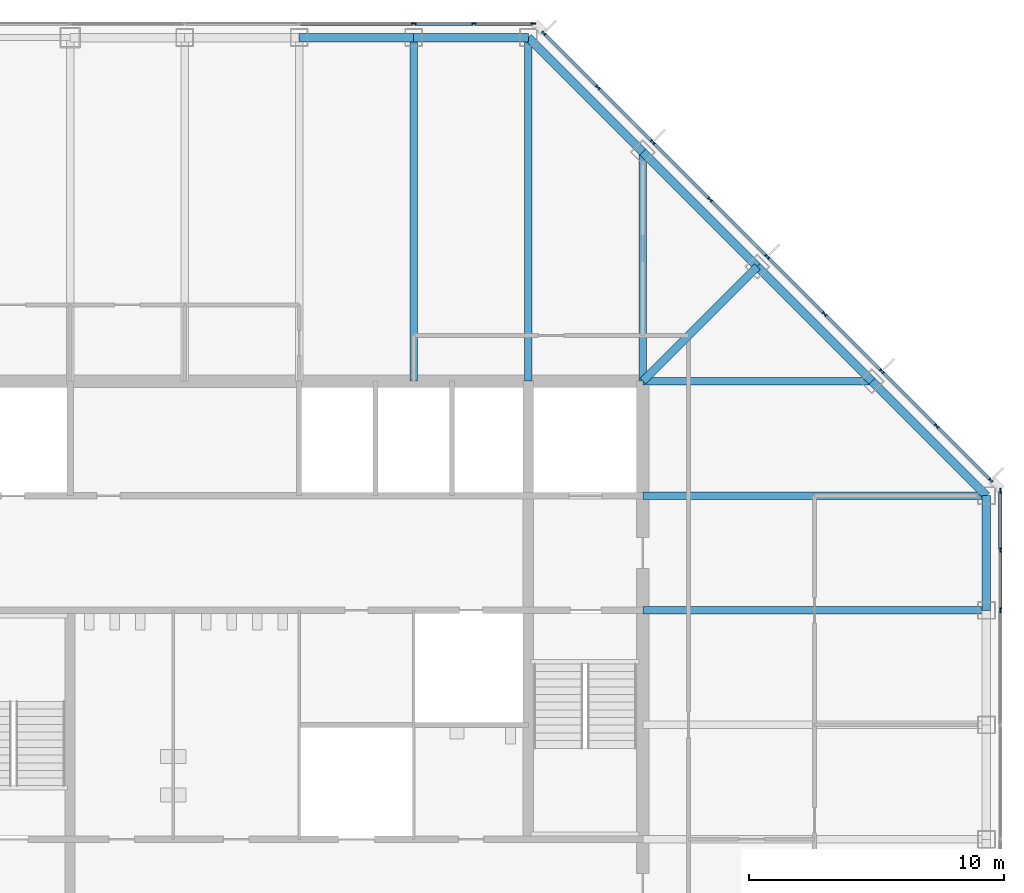
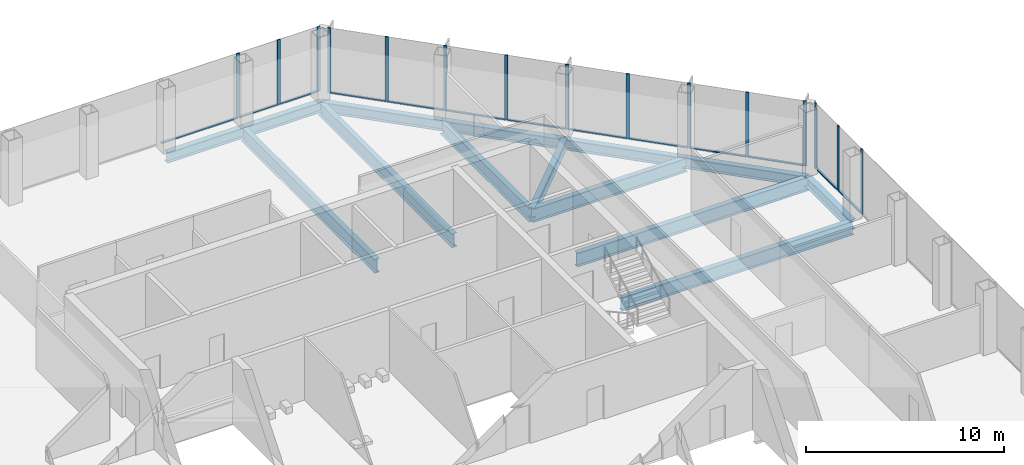
# One storey, part 6 of 13: 28 members, 14 beams, 3 elements without a shape of their own.
"""IFC4 building model written with IfcOpenShell, lengths in metres."""

from ifc_helpers import new_model, si_unit, direction, frame, origin, origin_2d, place, context, subcontext, project, spatial, rectangle, i_section, extrude, material, material_profile, profile_set, type_object, element, aggregate, save


model = new_model("IFC4")

# Units and contexts
model_context = context("Model", 3, precision=1e-05, world=origin(), true_north=direction((0.0, 1.0)))
body_context = subcontext(model_context, "Body", "Model", "MODEL_VIEW")
ifc_project = project(units=[si_unit("LENGTHUNIT", "METRE"), si_unit("AREAUNIT", "SQUARE_METRE"), si_unit("VOLUMEUNIT", "CUBIC_METRE"), si_unit("PLANEANGLEUNIT", "RADIAN"), si_unit("MASSUNIT", "GRAM", prefix="KILO")], contexts=[model_context])

# Site, building, storey
site_placement = place(None, origin())
site = spatial("IfcSite", under=ifc_project, at=site_placement, CompositionType="ELEMENT")
building_placement = place(site_placement, origin())
building = spatial("IfcBuilding", under=site, at=building_placement, Name="Corais Broadcast Tower", CompositionType="ELEMENT")
storey_placement = place(building_placement, frame((0.0, 0.0, 155.60009765625)))
storey = spatial("IfcBuildingStorey", under=building, at=storey_placement, Name="L35", CompositionType="ELEMENT", Elevation=155.60009765625)

# Beams
ifc_material_1 = material(Name="Steel ASTM A572 Grade 50", Category="steel")
ifc_material_profile_1 = material_profile(ifc_material_1, i_section(OverallWidth=0.323974609375, OverallDepth=0.611083984375, WebThickness=0.0126953125, FlangeThickness=0.01904296875, at=origin_2d()), Name="W610x155")
ifc_profile_set_1 = profile_set([ifc_material_profile_1], Name="Steel ASTM A572 Grade 50")
beam_type_1 = type_object("IfcBeamType", Name="Corner diagonal W610x155", PredefinedType="BEAM", material=ifc_profile_set_1)
beam_1_placement = place(storey_placement, frame((45.0, 45.0, -0.465576171875), z_axis=(-0.707106781187, -0.707106781187, 0.0), x_axis=(0.707106781187, -0.707106781187, 0.0)))
element("IfcBeam", 1, at=beam_1_placement, inside=storey, type_object=beam_type_1, Name="B6 L/13 to K/12", PredefinedType="BEAM", context=body_context, shape_type="SweptSolid", body=[
    extrude(i_section(OverallWidth=0.323974609375, OverallDepth=0.611083984375, WebThickness=0.0126953125, FlangeThickness=0.01904296875, at=origin_2d()), origin(), (0.0, 0.0, 1.0), 6.364013671875),
])
ifc_material_2 = material(Name="Steel ASTM A572 Grade 50", Category="steel")
ifc_material_profile_2 = material_profile(ifc_material_2, i_section(OverallWidth=0.2939453125, OverallDepth=0.85107421875, WebThickness=0.01611328125, FlangeThickness=0.02685546875, at=origin_2d()), Name="W840x226")
ifc_profile_set_2 = profile_set([ifc_material_profile_2], Name="Steel ASTM A572 Grade 50")
beam_type_2 = type_object("IfcBeamType", Name="Floor beam W840x226", PredefinedType="BEAM", material=ifc_profile_set_2)
for number, where, z_axis, x_axis, name in (
    (2, (31.5, 54.0, -0.585693359375), (0.0, -1.0, 0.0), (1.0, 0.0, 0.0), "B1 N/10 to K/10"),
    (3, (36.0, 54.0, -0.585693359375), (0.0, -1.0, 0.0), (1.0, 0.0, 0.0), "B1 N/11 to K/11"),
):
    element("IfcBeam", number, at=place(storey_placement, frame(where, z_axis=z_axis, x_axis=x_axis)), inside=storey, type_object=beam_type_2, Name=name, PredefinedType="BEAM", context=body_context, shape_type="SweptSolid", body=[
        extrude(i_section(OverallWidth=0.2939453125, OverallDepth=0.85107421875, WebThickness=0.01611328125, FlangeThickness=0.02685546875, at=origin_2d()), origin(), (0.0, 0.0, 1.0), 13.5),
    ])
for number, where, z_axis, x_axis, name in (
    (4, (40.5, 49.5, -0.585693359375), (0.0, -1.0, 0.0), (1.0, 0.0, 0.0), "B1 M/12 to K/12"),
    (5, (49.5, 40.5, -0.585693359375), (-1.0, 0.0, 0.0), (0.0, -1.0, 0.0), "B1 K/14 to K/12"),
):
    element("IfcBeam", number, at=place(storey_placement, frame(where, z_axis=z_axis, x_axis=x_axis)), inside=storey, type_object=beam_type_2, Name=name, PredefinedType="BEAM", context=body_context, shape_type="SweptSolid", body=[
        extrude(i_section(OverallWidth=0.2939453125, OverallDepth=0.85107421875, WebThickness=0.01611328125, FlangeThickness=0.02685546875, at=origin_2d()), origin(), (0.0, 0.0, 1.0), 9.0),
    ])
for number, where, z_axis, x_axis, name in (
    (6, (54.0, 31.5, -0.585693359375), (-1.0, 0.0, 0.0), (0.0, -1.0, 0.0), "B1 H/15 to H/12"),
    (7, (54.0, 36.0, -0.585693359375), (-1.0, 0.0, 0.0), (0.0, -1.0, 0.0), "B1 J/15 to J/12"),
):
    element("IfcBeam", number, at=place(storey_placement, frame(where, z_axis=z_axis, x_axis=x_axis)), inside=storey, type_object=beam_type_2, Name=name, PredefinedType="BEAM", context=body_context, shape_type="SweptSolid", body=[
        extrude(i_section(OverallWidth=0.2939453125, OverallDepth=0.85107421875, WebThickness=0.01611328125, FlangeThickness=0.02685546875, at=origin_2d()), origin(), (0.0, 0.0, 1.0), 13.5),
    ])

# Curtain wall, members
ifc_material_3 = material(Name="Aluminium and glass", Category="aluminium")
curtain_wall_type = type_object("IfcCurtainWallType", Name="Unitised fritted curtain wall CW2", PredefinedType="NOTDEFINED", material=ifc_material_3)
curtain_wall_1_placement = place(storey_placement, origin())
curtain_wall_1 = element("IfcCurtainWall", 8, at=curtain_wall_1_placement, inside=storey, type_object=curtain_wall_type, Name="CW2 curtain wall L35 4", PredefinedType="NOTDEFINED")
ifc_material_4 = material(Name="Aluminium 6063-T6", Category="aluminium")
ifc_material_profile_3 = material_profile(ifc_material_4, rectangle(XDim=0.06494140625, YDim=0.179931640625, at=origin_2d()), Name="Mullion CW2 65x180")
ifc_profile_set_3 = profile_set([ifc_material_profile_3], Name="Aluminium 6063-T6")
member_type_1 = type_object("IfcMemberType", Name="Mullion CW2 65x180", PredefinedType="MULLION", material=ifc_profile_set_3)
member_1_placement = place(storey_placement, frame((31.5, 54.550048828125, 0.0), z_axis=(0.0, 0.0, 1.0), x_axis=(0.0, 1.0, 0.0)))
member_1 = element("IfcMember", 9, at=member_1_placement, type_object=member_type_1, Name="CW2 mullion 7", PredefinedType="MULLION", context=body_context, shape_type="SweptSolid", body=[
    extrude(rectangle(XDim=0.06494140625, YDim=0.179931640625, at=origin_2d()), origin(), (0.0, 0.0, 1.0), 4.0),
])
member_2_placement = place(storey_placement, frame((33.864013671875, 54.550048828125, 0.0), z_axis=(0.0, 0.0, 1.0), x_axis=(0.0, 1.0, 0.0)))
member_2 = element("IfcMember", 10, at=member_2_placement, type_object=member_type_1, Name="CW2 mullion 8", PredefinedType="MULLION", context=body_context, shape_type="SweptSolid", body=[
    extrude(rectangle(XDim=0.06494140625, YDim=0.179931640625, at=origin_2d()), origin(), (0.0, 0.0, 1.0), 4.0),
])
member_3_placement = place(storey_placement, frame((36.1953125, 54.550048828125, 0.0), z_axis=(0.0, 0.0, 1.0), x_axis=(0.0, 1.0, 0.0)))
member_3 = element("IfcMember", 11, at=member_3_placement, type_object=member_type_1, Name="CW2 mullion 9", PredefinedType="MULLION", context=body_context, shape_type="SweptSolid", body=[
    extrude(rectangle(XDim=0.06494140625, YDim=0.179931640625, at=origin_2d()), origin(), (0.0, 0.0, 1.0), 4.0),
])

curtain_wall_2_placement = place(storey_placement, origin())
curtain_wall_2 = element("IfcCurtainWall", 12, at=curtain_wall_2_placement, inside=storey, type_object=curtain_wall_type, Name="CW2 curtain wall L35 5", PredefinedType="NOTDEFINED")
member_4_placement = place(storey_placement, frame((36.6044921875, 54.17333984375, 0.0), z_axis=(0.0, 0.0, 1.0), x_axis=(0.707106781187, 0.707106781187, 0.0)))
member_4 = element("IfcMember", 13, at=member_4_placement, type_object=member_type_1, Name="CW2 mullion 1", PredefinedType="MULLION", context=body_context, shape_type="SweptSolid", body=[
    extrude(rectangle(XDim=0.06494140625, YDim=0.179931640625, at=origin_2d()), origin(), (0.0, 0.0, 1.0), 4.0),
])
member_5_placement = place(storey_placement, frame((38.735107421875, 52.042724609375, 0.0), z_axis=(0.0, 0.0, 1.0), x_axis=(0.707106781187, 0.707106781187, 0.0)))
member_5 = element("IfcMember", 14, at=member_5_placement, type_object=member_type_1, Name="CW2 mullion 2", PredefinedType="MULLION", context=body_context, shape_type="SweptSolid", body=[
    extrude(rectangle(XDim=0.06494140625, YDim=0.179931640625, at=origin_2d()), origin(), (0.0, 0.0, 1.0), 4.0),
])
member_6_placement = place(storey_placement, frame((40.888916015625, 49.888916015625, 0.0), z_axis=(0.0, 0.0, 1.0), x_axis=(0.707106781187, 0.707106781187, 0.0)))
member_6 = element("IfcMember", 15, at=member_6_placement, type_object=member_type_1, Name="CW2 mullion 3", PredefinedType="MULLION", context=body_context, shape_type="SweptSolid", body=[
    extrude(rectangle(XDim=0.06494140625, YDim=0.179931640625, at=origin_2d()), origin(), (0.0, 0.0, 1.0), 4.0),
])
member_7_placement = place(storey_placement, frame((43.138916015625, 47.638916015625, 0.0), z_axis=(0.0, 0.0, 1.0), x_axis=(0.707106781187, 0.707106781187, 0.0)))
member_7 = element("IfcMember", 16, at=member_7_placement, type_object=member_type_1, Name="CW2 mullion 4", PredefinedType="MULLION", context=body_context, shape_type="SweptSolid", body=[
    extrude(rectangle(XDim=0.06494140625, YDim=0.179931640625, at=origin_2d()), origin(), (0.0, 0.0, 1.0), 4.0),
])
member_8_placement = place(storey_placement, frame((45.388916015625, 45.388916015625, 0.0), z_axis=(0.0, 0.0, 1.0), x_axis=(0.707106781187, 0.707106781187, 0.0)))
member_8 = element("IfcMember", 17, at=member_8_placement, type_object=member_type_1, Name="CW2 mullion 5", PredefinedType="MULLION", context=body_context, shape_type="SweptSolid", body=[
    extrude(rectangle(XDim=0.06494140625, YDim=0.179931640625, at=origin_2d()), origin(), (0.0, 0.0, 1.0), 4.0),
])
member_9_placement = place(storey_placement, frame((47.638916015625, 43.138916015625, 0.0), z_axis=(0.0, 0.0, 1.0), x_axis=(0.707106781187, 0.707106781187, 0.0)))
member_9 = element("IfcMember", 18, at=member_9_placement, type_object=member_type_1, Name="CW2 mullion 6", PredefinedType="MULLION", context=body_context, shape_type="SweptSolid", body=[
    extrude(rectangle(XDim=0.06494140625, YDim=0.179931640625, at=origin_2d()), origin(), (0.0, 0.0, 1.0), 4.0),
])
member_10_placement = place(storey_placement, frame((49.888916015625, 40.888916015625, 0.0), z_axis=(0.0, 0.0, 1.0), x_axis=(0.707106781187, 0.707106781187, 0.0)))
member_10 = element("IfcMember", 19, at=member_10_placement, type_object=member_type_1, Name="CW2 mullion 7", PredefinedType="MULLION", context=body_context, shape_type="SweptSolid", body=[
    extrude(rectangle(XDim=0.06494140625, YDim=0.179931640625, at=origin_2d()), origin(), (0.0, 0.0, 1.0), 4.0),
])
member_11_placement = place(storey_placement, frame((52.042724609375, 38.735107421875, 0.0), z_axis=(0.0, 0.0, 1.0), x_axis=(0.707106781187, 0.707106781187, 0.0)))
member_11 = element("IfcMember", 20, at=member_11_placement, type_object=member_type_1, Name="CW2 mullion 8", PredefinedType="MULLION", context=body_context, shape_type="SweptSolid", body=[
    extrude(rectangle(XDim=0.06494140625, YDim=0.179931640625, at=origin_2d()), origin(), (0.0, 0.0, 1.0), 4.0),
])
member_12_placement = place(storey_placement, frame((54.17333984375, 36.6044921875, 0.0), z_axis=(0.0, 0.0, 1.0), x_axis=(0.707106781187, 0.707106781187, 0.0)))
member_12 = element("IfcMember", 21, at=member_12_placement, type_object=member_type_1, Name="CW2 mullion 9", PredefinedType="MULLION", context=body_context, shape_type="SweptSolid", body=[
    extrude(rectangle(XDim=0.06494140625, YDim=0.179931640625, at=origin_2d()), origin(), (0.0, 0.0, 1.0), 4.0),
])

curtain_wall_3_placement = place(storey_placement, origin())
curtain_wall_3 = element("IfcCurtainWall", 22, at=curtain_wall_3_placement, inside=storey, type_object=curtain_wall_type, Name="CW2 curtain wall L35 6", PredefinedType="NOTDEFINED")
member_13_placement = place(storey_placement, frame((54.550048828125, 36.1953125, 0.0), z_axis=(0.0, 0.0, 1.0), x_axis=(1.0, 0.0, 0.0)))
member_13 = element("IfcMember", 23, at=member_13_placement, type_object=member_type_1, Name="CW2 mullion 1", PredefinedType="MULLION", context=body_context, shape_type="SweptSolid", body=[
    extrude(rectangle(XDim=0.06494140625, YDim=0.179931640625, at=origin_2d()), origin(), (0.0, 0.0, 1.0), 4.0),
])
member_14_placement = place(storey_placement, frame((54.550048828125, 33.864013671875, 0.0), z_axis=(0.0, 0.0, 1.0), x_axis=(1.0, 0.0, 0.0)))
member_14 = element("IfcMember", 24, at=member_14_placement, type_object=member_type_1, Name="CW2 mullion 2", PredefinedType="MULLION", context=body_context, shape_type="SweptSolid", body=[
    extrude(rectangle(XDim=0.06494140625, YDim=0.179931640625, at=origin_2d()), origin(), (0.0, 0.0, 1.0), 4.0),
])
member_15_placement = place(storey_placement, frame((54.550048828125, 31.5, 0.0), z_axis=(0.0, 0.0, 1.0), x_axis=(1.0, 0.0, 0.0)))
member_15 = element("IfcMember", 25, at=member_15_placement, type_object=member_type_1, Name="CW2 mullion 3", PredefinedType="MULLION", context=body_context, shape_type="SweptSolid", body=[
    extrude(rectangle(XDim=0.06494140625, YDim=0.179931640625, at=origin_2d()), origin(), (0.0, 0.0, 1.0), 4.0),
])

# Beams
ifc_material_5 = material(Name="Steel ASTM A572 Grade 50", Category="steel")
ifc_material_profile_4 = material_profile(ifc_material_5, i_section(OverallWidth=0.3291015625, OverallDepth=0.635009765625, WebThickness=0.017822265625, FlangeThickness=0.031005859375, at=origin_2d()), Name="W610x241")
ifc_profile_set_4 = profile_set([ifc_material_profile_4], Name="Steel ASTM A572 Grade 50")
beam_type_3 = type_object("IfcBeamType", Name="Spandrel W610x241", PredefinedType="BEAM", material=ifc_profile_set_4)
for number, where, z_axis, x_axis, name in (
    (26, (31.5, 54.0, -0.4775390625), (-1.0, 0.0, 0.0), (0.0, -1.0, 0.0), "SB1 N/10 to N/9"),
    (27, (36.0, 54.0, -0.4775390625), (-1.0, 0.0, 0.0), (0.0, -1.0, 0.0), "SB1 N/11 to N/10"),
):
    element("IfcBeam", number, at=place(storey_placement, frame(where, z_axis=z_axis, x_axis=x_axis)), inside=storey, type_object=beam_type_3, Name=name, PredefinedType="BEAM", context=body_context, shape_type="SweptSolid", body=[
        extrude(i_section(OverallWidth=0.3291015625, OverallDepth=0.635009765625, WebThickness=0.017822265625, FlangeThickness=0.031005859375, at=origin_2d()), origin(), (0.0, 0.0, 1.0), 4.5),
    ])
for number, where, z_axis, x_axis, name in (
    (28, (40.5, 49.5, -0.4775390625), (-0.707106781187, 0.707106781187, 0.0), (-0.707106781187, -0.707106781187, 0.0), "SB1 M/12 to N/11"),
    (29, (45.0, 45.0, -0.4775390625), (-0.707106781187, 0.707106781187, 0.0), (-0.707106781187, -0.707106781187, 0.0), "SB1 L/13 to M/12"),
    (30, (49.5, 40.5, -0.4775390625), (-0.707106781187, 0.707106781187, 0.0), (-0.707106781187, -0.707106781187, 0.0), "SB1 K/14 to L/13"),
):
    element("IfcBeam", number, at=place(storey_placement, frame(where, z_axis=z_axis, x_axis=x_axis)), inside=storey, type_object=beam_type_3, Name=name, PredefinedType="BEAM", context=body_context, shape_type="SweptSolid", body=[
        extrude(i_section(OverallWidth=0.3291015625, OverallDepth=0.635009765625, WebThickness=0.017822265625, FlangeThickness=0.031005859375, at=origin_2d()), origin(), (0.0, 0.0, 1.0), 6.364013671875),
    ])
beam_2_placement = place(storey_placement, frame((54.0, 31.5, -0.4775390625), z_axis=(0.0, 1.0, 0.0), x_axis=(-1.0, 0.0, 0.0)))
element("IfcBeam", 31, at=beam_2_placement, inside=storey, type_object=beam_type_3, Name="SB1 H/15 to J/15", PredefinedType="BEAM", context=body_context, shape_type="SweptSolid", body=[
    extrude(i_section(OverallWidth=0.3291015625, OverallDepth=0.635009765625, WebThickness=0.017822265625, FlangeThickness=0.031005859375, at=origin_2d()), origin(), (0.0, 0.0, 1.0), 4.5),
])
beam_3_placement = place(storey_placement, frame((54.0, 36.0, -0.4775390625), z_axis=(-0.707106781187, 0.707106781187, 0.0), x_axis=(-0.707106781187, -0.707106781187, 0.0)))
element("IfcBeam", 32, at=beam_3_placement, inside=storey, type_object=beam_type_3, Name="SB1 J/15 to K/14", PredefinedType="BEAM", context=body_context, shape_type="SweptSolid", body=[
    extrude(i_section(OverallWidth=0.3291015625, OverallDepth=0.635009765625, WebThickness=0.017822265625, FlangeThickness=0.031005859375, at=origin_2d()), origin(), (0.0, 0.0, 1.0), 6.364013671875),
])

# Member
ifc_material_6 = material(Name="Aluminium 6063-T6", Category="aluminium")
ifc_material_profile_5 = material_profile(ifc_material_6, rectangle(XDim=0.1298828125, YDim=0.06494140625, at=origin_2d()), Name="Transom CW2 65x130")
ifc_profile_set_5 = profile_set([ifc_material_profile_5], Name="Aluminium 6063-T6")
member_type_2 = type_object("IfcMemberType", Name="Transom CW2 65x130", PredefinedType="USERDEFINED", material=ifc_profile_set_5)
member_16_placement = place(storey_placement, frame((27.032470703125, 54.550048828125, 0.032470703125), z_axis=(1.0, 0.0, 0.0), x_axis=(0.0, 1.0, 0.0)))
member_16 = element("IfcMember", 33, at=member_16_placement, type_object=member_type_2, Name="CW2 transom 6.1", ObjectType="TRANSOM", PredefinedType="USERDEFINED", context=body_context, shape_type="SweptSolid", body=[
    extrude(rectangle(XDim=0.1298828125, YDim=0.06494140625, at=origin_2d()), origin(), (0.0, 0.0, 1.0), 4.43505859375),
])

member_17_placement = place(storey_placement, frame((31.532470703125, 54.550048828125, 0.032470703125), z_axis=(1.0, 0.0, 0.0), x_axis=(0.0, 1.0, 0.0)))
member_17 = element("IfcMember", 34, at=member_17_placement, type_object=member_type_2, Name="CW2 transom 7.1", ObjectType="TRANSOM", PredefinedType="USERDEFINED", context=body_context, shape_type="SweptSolid", body=[
    extrude(rectangle(XDim=0.1298828125, YDim=0.06494140625, at=origin_2d()), origin(), (0.0, 0.0, 1.0), 2.298828125),
])

member_18_placement = place(storey_placement, frame((33.896484375, 54.550048828125, 0.032470703125), z_axis=(1.0, 0.0, 0.0), x_axis=(0.0, 1.0, 0.0)))
member_18 = element("IfcMember", 35, at=member_18_placement, type_object=member_type_2, Name="CW2 transom 8.1", ObjectType="TRANSOM", PredefinedType="USERDEFINED", context=body_context, shape_type="SweptSolid", body=[
    extrude(rectangle(XDim=0.1298828125, YDim=0.06494140625, at=origin_2d()), origin(), (0.0, 0.0, 1.0), 2.266357421875),
])

aggregate(curtain_wall_1, [member_1, member_2, member_3, member_16, member_17, member_18])

member_19_placement = place(storey_placement, frame((36.62744140625, 54.150390625, 0.032470703125), z_axis=(0.707106781187, -0.707106781187, 0.0), x_axis=(0.707106781187, 0.707106781187, 0.0)))
member_19 = element("IfcMember", 36, at=member_19_placement, type_object=member_type_2, Name="CW2 transom 1.1", ObjectType="TRANSOM", PredefinedType="USERDEFINED", context=body_context, shape_type="SweptSolid", body=[
    extrude(rectangle(XDim=0.1298828125, YDim=0.06494140625, at=origin_2d()), origin(), (0.0, 0.0, 1.0), 2.9482421875),
])

member_20_placement = place(storey_placement, frame((38.758056640625, 52.019775390625, 0.032470703125), z_axis=(0.707106781187, -0.707106781187, 0.0), x_axis=(0.707106781187, 0.707106781187, 0.0)))
member_20 = element("IfcMember", 37, at=member_20_placement, type_object=member_type_2, Name="CW2 transom 2.1", ObjectType="TRANSOM", PredefinedType="USERDEFINED", context=body_context, shape_type="SweptSolid", body=[
    extrude(rectangle(XDim=0.1298828125, YDim=0.06494140625, at=origin_2d()), origin(), (0.0, 0.0, 1.0), 2.98095703125),
])

member_21_placement = place(storey_placement, frame((40.911865234375, 49.865966796875, 0.032470703125), z_axis=(0.707106781187, -0.707106781187, 0.0), x_axis=(0.707106781187, 0.707106781187, 0.0)))
member_21 = element("IfcMember", 38, at=member_21_placement, type_object=member_type_2, Name="CW2 transom 3.1", ObjectType="TRANSOM", PredefinedType="USERDEFINED", context=body_context, shape_type="SweptSolid", body=[
    extrude(rectangle(XDim=0.1298828125, YDim=0.06494140625, at=origin_2d()), origin(), (0.0, 0.0, 1.0), 3.1171875),
])

member_22_placement = place(storey_placement, frame((43.161865234375, 47.615966796875, 0.032470703125), z_axis=(0.707106781187, -0.707106781187, 0.0), x_axis=(0.707106781187, 0.707106781187, 0.0)))
member_22 = element("IfcMember", 39, at=member_22_placement, type_object=member_type_2, Name="CW2 transom 4.1", ObjectType="TRANSOM", PredefinedType="USERDEFINED", context=body_context, shape_type="SweptSolid", body=[
    extrude(rectangle(XDim=0.1298828125, YDim=0.06494140625, at=origin_2d()), origin(), (0.0, 0.0, 1.0), 3.1171875),
])

member_23_placement = place(storey_placement, frame((45.411865234375, 45.365966796875, 0.032470703125), z_axis=(0.707106781187, -0.707106781187, 0.0), x_axis=(0.707106781187, 0.707106781187, 0.0)))
member_23 = element("IfcMember", 40, at=member_23_placement, type_object=member_type_2, Name="CW2 transom 5.1", ObjectType="TRANSOM", PredefinedType="USERDEFINED", context=body_context, shape_type="SweptSolid", body=[
    extrude(rectangle(XDim=0.1298828125, YDim=0.06494140625, at=origin_2d()), origin(), (0.0, 0.0, 1.0), 3.1171875),
])

member_24_placement = place(storey_placement, frame((47.661865234375, 43.115966796875, 0.032470703125), z_axis=(0.707106781187, -0.707106781187, 0.0), x_axis=(0.707106781187, 0.707106781187, 0.0)))
member_24 = element("IfcMember", 41, at=member_24_placement, type_object=member_type_2, Name="CW2 transom 6.1", ObjectType="TRANSOM", PredefinedType="USERDEFINED", context=body_context, shape_type="SweptSolid", body=[
    extrude(rectangle(XDim=0.1298828125, YDim=0.06494140625, at=origin_2d()), origin(), (0.0, 0.0, 1.0), 3.1171875),
])

member_25_placement = place(storey_placement, frame((49.911865234375, 40.865966796875, 0.032470703125), z_axis=(0.707065828661, -0.70714773134, 0.0), x_axis=(0.70714773134, 0.707065828661, 0.0)))
member_25 = element("IfcMember", 42, at=member_25_placement, type_object=member_type_2, Name="CW2 transom 7.1", ObjectType="TRANSOM", PredefinedType="USERDEFINED", context=body_context, shape_type="SweptSolid", body=[
    extrude(rectangle(XDim=0.1298828125, YDim=0.06494140625, at=origin_2d()), origin(), (0.0, 0.0, 1.0), 2.98095703125),
])

member_26_placement = place(storey_placement, frame((52.065673828125, 38.712158203125, 0.032470703125), z_axis=(0.707106781187, -0.707106781187, 0.0), x_axis=(0.707106781187, 0.707106781187, 0.0)))
member_26 = element("IfcMember", 43, at=member_26_placement, type_object=member_type_2, Name="CW2 transom 8.1", ObjectType="TRANSOM", PredefinedType="USERDEFINED", context=body_context, shape_type="SweptSolid", body=[
    extrude(rectangle(XDim=0.1298828125, YDim=0.06494140625, at=origin_2d()), origin(), (0.0, 0.0, 1.0), 2.9482421875),
])

aggregate(curtain_wall_2, [member_4, member_5, member_6, member_7, member_8, member_9, member_10, member_11, member_12, member_19, member_20, member_21, member_22, member_23, member_24, member_25, member_26])

member_27_placement = place(storey_placement, frame((54.550048828125, 36.162841796875, 0.032470703125), z_axis=(0.0, -1.0, 0.0), x_axis=(1.0, 0.0, 0.0)))
member_27 = element("IfcMember", 44, at=member_27_placement, type_object=member_type_2, Name="CW2 transom 1.1", ObjectType="TRANSOM", PredefinedType="USERDEFINED", context=body_context, shape_type="SweptSolid", body=[
    extrude(rectangle(XDim=0.1298828125, YDim=0.06494140625, at=origin_2d()), origin(), (0.0, 0.0, 1.0), 2.266357421875),
])

member_28_placement = place(storey_placement, frame((54.550048828125, 33.831298828125, 0.032470703125), z_axis=(0.0, -1.0, 0.0), x_axis=(1.0, 0.0, 0.0)))
member_28 = element("IfcMember", 45, at=member_28_placement, type_object=member_type_2, Name="CW2 transom 2.1", ObjectType="TRANSOM", PredefinedType="USERDEFINED", context=body_context, shape_type="SweptSolid", body=[
    extrude(rectangle(XDim=0.1298828125, YDim=0.06494140625, at=origin_2d()), origin(), (0.0, 0.0, 1.0), 2.298828125),
])

aggregate(curtain_wall_3, [member_13, member_14, member_15, member_27, member_28])

save(model, "model.ifc")
